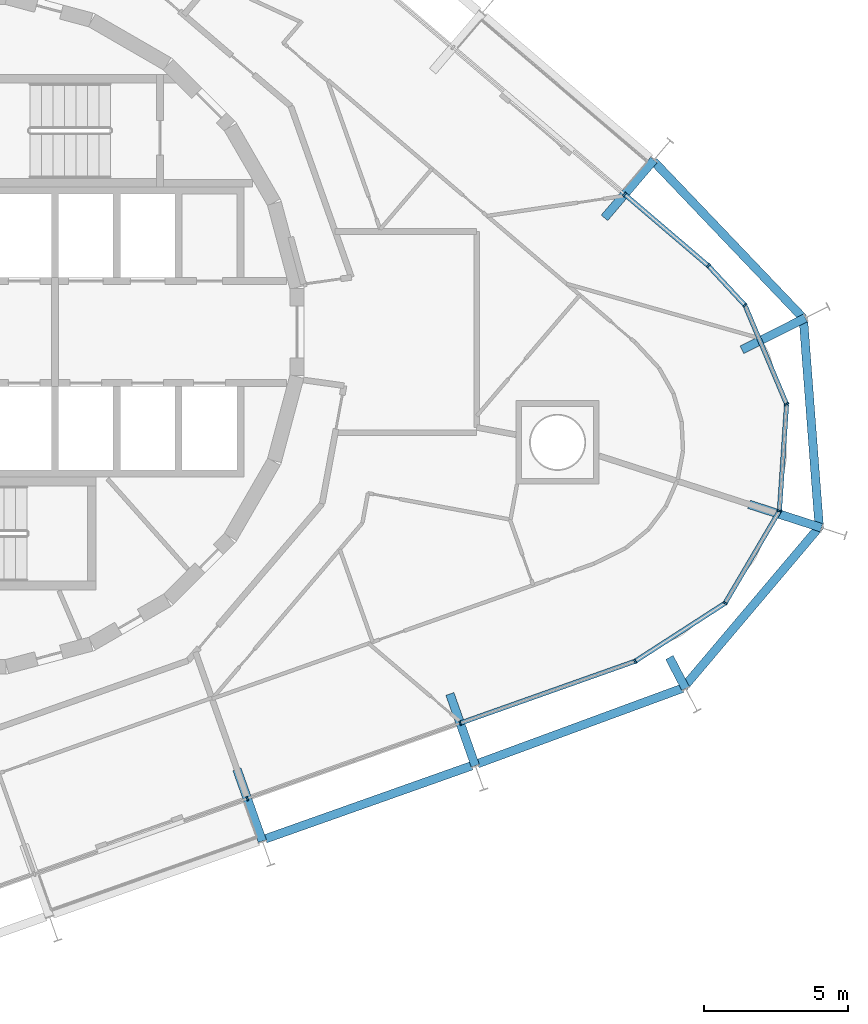
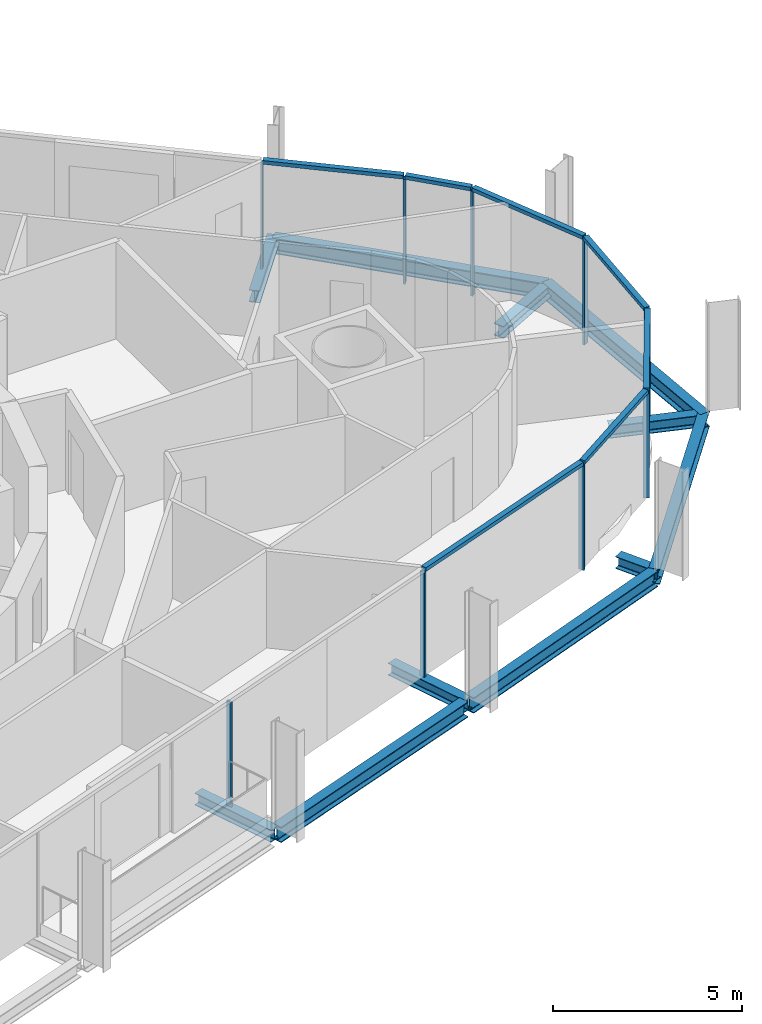
# One storey, part 5 of 17: 16 members, 11 beams, 3 elements without a shape of their own.
"""IFC4 building model written with IfcOpenShell, lengths in metres."""

from ifc_helpers import new_model, si_unit, direction, frame, origin, origin_2d, place, context, subcontext, project, spatial, rectangle, i_section, extrude, material, layer, layer_set, material_profile, profile_set, type_object, element, aggregate, save


model = new_model("IFC4")

# Units and contexts
model_context = context("Model", 3, precision=1e-05, world=origin(), true_north=direction((0.0, 1.0)))
body_context = subcontext(model_context, "Body", "Model", "MODEL_VIEW")
ifc_project = project(units=[si_unit("LENGTHUNIT", "METRE"), si_unit("AREAUNIT", "SQUARE_METRE"), si_unit("VOLUMEUNIT", "CUBIC_METRE"), si_unit("PLANEANGLEUNIT", "RADIAN"), si_unit("MASSUNIT", "GRAM", prefix="KILO")], contexts=[model_context])

# Site, building, storey
site_placement = place(None, origin())
site = spatial("IfcSite", under=ifc_project, at=site_placement, CompositionType="ELEMENT")
building_placement = place(site_placement, origin())
building = spatial("IfcBuilding", under=site, at=building_placement, Name="Spindle Arch Residences", CompositionType="ELEMENT")
storey_placement = place(building_placement, frame((0.0, 0.0, 162.199951171875)))
storey = spatial("IfcBuildingStorey", under=building, at=storey_placement, Name="L40", CompositionType="ELEMENT", Elevation=162.199951171875)

# Curtain wall, members
ifc_material_1 = material(Name="Aluminium bronze unitised frame with tinted glass", Category="aluminium")
ifc_layer_1 = layer(ifc_material_1, 0.159912109375)
ifc_layer_set_1 = layer_set([ifc_layer_1], Name="CW-D corner wall on the fillet arcs")
curtain_wall_type_1 = type_object("IfcCurtainWallType", Name="CW-D corner wall on the fillet arcs", PredefinedType="NOTDEFINED", material=ifc_layer_set_1)
curtain_wall_1_placement = place(storey_placement, origin())
curtain_wall_1 = element("IfcCurtainWall", 1, at=curtain_wall_1_placement, inside=storey, type_object=curtain_wall_type_1, Name="CW-D L40 run 1", PredefinedType="NOTDEFINED")
ifc_material_2 = material(Name="Aluminium bronze anodised mullion", Category="aluminium")
ifc_material_profile_1 = material_profile(ifc_material_2, rectangle(XDim=0.159912109375, YDim=0.06005859375, at=origin_2d()), Name="MU 60x160")
ifc_profile_set_1 = profile_set([ifc_material_profile_1], Name="Aluminium bronze anodised mullion")
member_type_1 = type_object("IfcMemberType", Name="Bronze mullion 60x160", PredefinedType="MULLION", material=ifc_profile_set_1)
member_1_placement = place(storey_placement, frame((17.326904296875, -13.609619140625, -0.3798828125), z_axis=(0.0, 0.0, 1.0), x_axis=(-0.333806859234, 0.942641491092, 0.0)))
member_1 = element("IfcMember", 2, at=member_1_placement, type_object=member_type_1, Name="CW-D mullion 00", PredefinedType="MULLION", context=body_context, shape_type="SweptSolid", body=[
    extrude(rectangle(XDim=0.159912109375, YDim=0.06005859375, at=origin_2d()), origin(), (0.0, 0.0, 1.0), 3.3798828125),
])
member_2_placement = place(storey_placement, frame((23.410400390625, -11.45556640625, -0.3798828125), z_axis=(0.0, 0.0, 1.0), x_axis=(-0.542197137778, 0.840251309898, 0.0)))
member_2 = element("IfcMember", 3, at=member_2_placement, type_object=member_type_1, Name="CW-D mullion 01", PredefinedType="MULLION", context=body_context, shape_type="SweptSolid", body=[
    extrude(rectangle(XDim=0.159912109375, YDim=0.06005859375, at=origin_2d()), origin(), (0.0, 0.0, 1.0), 3.3798828125),
])
member_3_placement = place(storey_placement, frame((26.541748046875, -9.434814453125, -0.3798828125), z_axis=(0.0, 0.0, 1.0), x_axis=(-0.86162915882, 0.507538365713, 0.0)))
member_3 = element("IfcMember", 4, at=member_3_placement, type_object=member_type_1, Name="CW-D mullion 02", PredefinedType="MULLION", context=body_context, shape_type="SweptSolid", body=[
    extrude(rectangle(XDim=0.159912109375, YDim=0.06005859375, at=origin_2d()), origin(), (0.0, 0.0, 1.0), 3.3798828125),
])
member_4_placement = place(storey_placement, frame((28.43310546875, -6.223876953125, -0.3798828125), z_axis=(0.0, 0.0, 1.0), x_axis=(-0.997762742461, 0.066854392204, 0.0)))
member_4 = element("IfcMember", 5, at=member_4_placement, type_object=member_type_1, Name="CW-D mullion 03", PredefinedType="MULLION", context=body_context, shape_type="SweptSolid", body=[
    extrude(rectangle(XDim=0.159912109375, YDim=0.06005859375, at=origin_2d()), origin(), (0.0, 0.0, 1.0), 3.3798828125),
])
member_5_placement = place(storey_placement, frame((28.682373046875, -2.50537109375, -0.3798828125), z_axis=(0.0, 0.0, 1.0), x_axis=(-0.921637549195, -0.388051836633, 0.0)))
member_5 = element("IfcMember", 6, at=member_5_placement, type_object=member_type_1, Name="CW-D mullion 04", PredefinedType="MULLION", context=body_context, shape_type="SweptSolid", body=[
    extrude(rectangle(XDim=0.159912109375, YDim=0.06005859375, at=origin_2d()), origin(), (0.0, 0.0, 1.0), 3.3798828125),
])
member_6_placement = place(storey_placement, frame((27.236083984375, 0.929443359375, -0.3798828125), z_axis=(0.0, 0.0, 1.0), x_axis=(-0.733334455983, -0.679868057543, 0.0)))
member_6 = element("IfcMember", 7, at=member_6_placement, type_object=member_type_1, Name="CW-D mullion 05", PredefinedType="MULLION", context=body_context, shape_type="SweptSolid", body=[
    extrude(rectangle(XDim=0.159912109375, YDim=0.06005859375, at=origin_2d()), origin(), (0.0, 0.0, 1.0), 3.3798828125),
])
member_7_placement = place(storey_placement, frame((25.960693359375, 2.30517578125, -0.3798828125), z_axis=(0.0, 0.0, 1.0), x_axis=(-0.64944804833, -0.7604059656, 0.0)))
member_7 = element("IfcMember", 8, at=member_7_placement, type_object=member_type_1, Name="CW-D mullion 06", PredefinedType="MULLION", context=body_context, shape_type="SweptSolid", body=[
    extrude(rectangle(XDim=0.159912109375, YDim=0.06005859375, at=origin_2d()), origin(), (0.0, 0.0, 1.0), 3.3798828125),
])

# Curtain wall, member
ifc_material_3 = material(Name="Aluminium bronze unitised frame with tinted glass", Category="aluminium")
ifc_layer_2 = layer(ifc_material_3, 0.159912109375)
ifc_layer_set_2 = layer_set([ifc_layer_2], Name="CW-C typical residential unitised wall")
curtain_wall_type_2 = type_object("IfcCurtainWallType", Name="CW-C typical residential unitised wall", PredefinedType="NOTDEFINED", material=ifc_layer_set_2)
curtain_wall_2_placement = place(storey_placement, origin())
curtain_wall_2 = element("IfcCurtainWall", 9, at=curtain_wall_2_placement, inside=storey, type_object=curtain_wall_type_2, Name="CW-C L40 run 2", PredefinedType="NOTDEFINED")
member_8_placement = place(storey_placement, frame((23.045654296875, 4.794677734375, -0.3798828125), z_axis=(0.0, 0.0, 1.0), x_axis=(-0.64944804833, -0.7604059656, 0.0)))
member_8 = element("IfcMember", 10, at=member_8_placement, type_object=member_type_1, Name="CW-C mullion 05", PredefinedType="MULLION", context=body_context, shape_type="SweptSolid", body=[
    extrude(rectangle(XDim=0.159912109375, YDim=0.06005859375, at=origin_2d()), origin(), (0.0, 0.0, 1.0), 3.3798828125),
])
aggregate(curtain_wall_2, [member_8])

curtain_wall_3_placement = place(storey_placement, origin())
curtain_wall_3 = element("IfcCurtainWall", 11, at=curtain_wall_3_placement, inside=storey, type_object=curtain_wall_type_2, Name="CW-C L40 run 6", PredefinedType="NOTDEFINED")
member_9_placement = place(storey_placement, frame((9.917724609375, -16.2333984375, -0.3798828125), z_axis=(0.0, 0.0, 1.0), x_axis=(-0.333806859234, 0.942641491092, 0.0)))
member_9 = element("IfcMember", 12, at=member_9_placement, type_object=member_type_1, Name="CW-C mullion 00", PredefinedType="MULLION", context=body_context, shape_type="SweptSolid", body=[
    extrude(rectangle(XDim=0.159912109375, YDim=0.06005859375, at=origin_2d()), origin(), (0.0, 0.0, 1.0), 3.3798828125),
])
aggregate(curtain_wall_3, [member_9])

# Member
ifc_material_4 = material(Name="Aluminium bronze anodised transom", Category="aluminium")
ifc_material_profile_2 = material_profile(ifc_material_4, rectangle(XDim=0.159912109375, YDim=0.1201171875, at=origin_2d()), Name="TR 120x160")
ifc_profile_set_2 = profile_set([ifc_material_profile_2], Name="Aluminium bronze anodised transom")
member_type_2 = type_object("IfcMemberType", Name="Bronze transom 120x160", PredefinedType="USERDEFINED", material=ifc_profile_set_2)
member_10_placement = place(storey_placement, frame((17.355224609375, -13.599609375, 3.06005859375), z_axis=(0.94265075566, 0.333780695748, 0.0), x_axis=(-0.333780695748, 0.94265075566, 0.0)))
member_10 = element("IfcMember", 13, at=member_10_placement, type_object=member_type_2, Name="CW-D transom 00", ObjectType="TRANSOM", PredefinedType="USERDEFINED", context=body_context, shape_type="SweptSolid", body=[
    extrude(rectangle(XDim=0.159912109375, YDim=0.1201171875, at=origin_2d()), origin(), (0.0, 0.0, 1.0), 6.3935546875),
])

member_11_placement = place(storey_placement, frame((23.435546875, -11.439208984375, 3.06005859375), z_axis=(0.840264358641, 0.542176915405, 0.0), x_axis=(-0.542176915405, 0.840264358641, 0.0)))
member_11 = element("IfcMember", 14, at=member_11_placement, type_object=member_type_2, Name="CW-D transom 01", ObjectType="TRANSOM", PredefinedType="USERDEFINED", context=body_context, shape_type="SweptSolid", body=[
    extrude(rectangle(XDim=0.159912109375, YDim=0.1201171875, at=origin_2d()), origin(), (0.0, 0.0, 1.0), 3.666748046875),
])

member_12_placement = place(storey_placement, frame((26.556884765625, -9.408935546875, 3.06005859375), z_axis=(0.507546689055, 0.861624255943, 0.0), x_axis=(-0.861624255943, 0.507546689055, 0.0)))
member_12 = element("IfcMember", 15, at=member_12_placement, type_object=member_type_2, Name="CW-D transom 02", ObjectType="TRANSOM", PredefinedType="USERDEFINED", context=body_context, shape_type="SweptSolid", body=[
    extrude(rectangle(XDim=0.159912109375, YDim=0.1201171875, at=origin_2d()), origin(), (0.0, 0.0, 1.0), 3.666748046875),
])

member_13_placement = place(storey_placement, frame((28.43505859375, -6.19384765625, 3.06005859375), z_axis=(0.066916740455, 0.997758562903, 0.0), x_axis=(-0.997758562903, 0.066916740455, 0.0)))
member_13 = element("IfcMember", 16, at=member_13_placement, type_object=member_type_2, Name="CW-D transom 03", ObjectType="TRANSOM", PredefinedType="USERDEFINED", context=body_context, shape_type="SweptSolid", body=[
    extrude(rectangle(XDim=0.159912109375, YDim=0.1201171875, at=origin_2d()), origin(), (0.0, 0.0, 1.0), 3.666748046875),
])

member_14_placement = place(storey_placement, frame((28.670654296875, -2.477783203125, 3.06005859375), z_axis=(-0.388045093438, 0.921640388361, 0.0), x_axis=(-0.921640388361, -0.388045093438, 0.0)))
member_14 = element("IfcMember", 17, at=member_14_placement, type_object=member_type_2, Name="CW-D transom 04", ObjectType="TRANSOM", PredefinedType="USERDEFINED", context=body_context, shape_type="SweptSolid", body=[
    extrude(rectangle(XDim=0.159912109375, YDim=0.1201171875, at=origin_2d()), origin(), (0.0, 0.0, 1.0), 3.666748046875),
])

member_15_placement = place(storey_placement, frame((27.2158203125, 0.951416015625, 3.06005859375), z_axis=(-0.679919851258, 0.733286435075, 0.0), x_axis=(-0.733286435075, -0.679919851258, 0.0)))
member_15 = element("IfcMember", 18, at=member_15_placement, type_object=member_type_2, Name="CW-D transom 05", ObjectType="TRANSOM", PredefinedType="USERDEFINED", context=body_context, shape_type="SweptSolid", body=[
    extrude(rectangle(XDim=0.159912109375, YDim=0.1201171875, at=origin_2d()), origin(), (0.0, 0.0, 1.0), 1.816162109375),
])

member_16_placement = place(storey_placement, frame((25.937744140625, 2.32470703125, 3.06005859375), z_axis=(-0.76037900371, 0.64947961532, 0.0), x_axis=(-0.64947961532, -0.76037900371, 0.0)))
member_16 = element("IfcMember", 19, at=member_16_placement, type_object=member_type_2, Name="CW-D transom 06", ObjectType="TRANSOM", PredefinedType="USERDEFINED", context=body_context, shape_type="SweptSolid", body=[
    extrude(rectangle(XDim=0.159912109375, YDim=0.1201171875, at=origin_2d()), origin(), (0.0, 0.0, 1.0), 3.773193359375),
])

aggregate(curtain_wall_1, [member_1, member_10, member_2, member_11, member_3, member_12, member_4, member_13, member_5, member_14, member_6, member_15, member_7, member_16])

# Beams
ifc_material_5 = material(Name="Steel S460ML, intumescent coating R 120", Category="steel")
ifc_material_profile_3 = material_profile(ifc_material_5, i_section(OverallWidth=0.300048828125, OverallDepth=0.5, WebThickness=0.014404296875, FlangeThickness=0.028076171875, FilletRadius=0.027099609375, at=origin_2d()), Name="HEB 500")
ifc_profile_set_3 = profile_set([ifc_material_profile_3], Name="Steel S460ML, intumescent coating R 120")
beam_type_1 = type_object("IfcBeamType", Name="Exoskeleton edge beam HEB 500", PredefinedType="BEAM", material=ifc_profile_set_3)
beam_1_placement = place(storey_placement, frame((10.551025390625, -17.63232421875, -0.6298828125), z_axis=(0.942633964352, 0.33382811333, 0.0), x_axis=(-0.33382811333, 0.942633964352, 0.0)))
element("IfcBeam", 20, at=beam_1_placement, inside=storey, type_object=beam_type_1, Name="Exoskeleton edge beam 1", PredefinedType="BEAM", context=body_context, shape_type="SweptSolid", body=[
    extrude(i_section(OverallWidth=0.300048828125, OverallDepth=0.5, WebThickness=0.014404296875, FlangeThickness=0.028076171875, FilletRadius=0.027099609375, at=origin_2d()), origin(), (0.0, 0.0, 1.0), 7.60009765625),
])
beam_2_placement = place(storey_placement, frame((17.927978515625, -15.01953125, -0.6298828125), z_axis=(0.938417721989, 0.345502791677, 0.0), x_axis=(-0.345502791677, 0.938417721989, 0.0)))
element("IfcBeam", 21, at=beam_2_placement, inside=storey, type_object=beam_type_1, Name="Exoskeleton edge beam 2", PredefinedType="BEAM", context=body_context, shape_type="SweptSolid", body=[
    extrude(i_section(OverallWidth=0.300048828125, OverallDepth=0.5, WebThickness=0.014404296875, FlangeThickness=0.028076171875, FilletRadius=0.027099609375, at=origin_2d()), origin(), (0.0, 0.0, 1.0), 7.59619140625),
])
for number, where, z_axis, x_axis, name in (
    (22, (25.08349609375, -12.3837890625, -0.6298828125), (0.645788487343, 0.763516358446, 0.0), (-0.763516358446, 0.645788487343, 0.0), "Exoskeleton edge beam 3"),
    (23, (29.823974609375, -6.856201171875, -0.6298828125), (-0.076078644635, 0.997101820192, 0.0), (-0.997101820192, -0.076078644635, 0.0), "Exoskeleton edge beam 4"),
):
    element("IfcBeam", number, at=place(storey_placement, frame(where, z_axis=z_axis, x_axis=x_axis)), inside=storey, type_object=beam_type_1, Name=name, PredefinedType="BEAM", context=body_context, shape_type="SweptSolid", body=[
        extrude(i_section(OverallWidth=0.300048828125, OverallDepth=0.5, WebThickness=0.014404296875, FlangeThickness=0.028076171875, FilletRadius=0.027099609375, at=origin_2d()), origin(), (0.0, 0.0, 1.0), 7.4033203125),
    ])
beam_3_placement = place(storey_placement, frame((29.263916015625, 0.484375, -0.6298828125), z_axis=(-0.690454167384, 0.72337614195, 0.0), x_axis=(-0.72337614195, -0.690454167384, 0.0)))
element("IfcBeam", 24, at=beam_3_placement, inside=storey, type_object=beam_type_1, Name="Exoskeleton edge beam 5", PredefinedType="BEAM", context=body_context, shape_type="SweptSolid", body=[
    extrude(i_section(OverallWidth=0.300048828125, OverallDepth=0.5, WebThickness=0.014404296875, FlangeThickness=0.028076171875, FilletRadius=0.027099609375, at=origin_2d()), origin(), (0.0, 0.0, 1.0), 7.534423828125),
])
ifc_material_6 = material(Name="Steel S460ML, intumescent coating R 120", Category="steel")
ifc_material_profile_4 = material_profile(ifc_material_6, i_section(OverallWidth=0.300048828125, OverallDepth=0.389892578125, WebThickness=0.010986328125, FlangeThickness=0.01904296875, FilletRadius=0.027099609375, at=origin_2d()), Name="HEA 400")
ifc_profile_set_4 = profile_set([ifc_material_profile_4], Name="Steel S460ML, intumescent coating R 120")
beam_type_2 = type_object("IfcBeamType", Name="Floor outrigger HEA 400", PredefinedType="BEAM", material=ifc_profile_set_4)
beam_4_placement = place(storey_placement, frame((10.44189453125, -17.71337890625, -0.574951171875), z_axis=(-0.333860785086, 0.942622393211, 0.0), x_axis=(-0.942622393211, -0.333860785086, 0.0)))
element("IfcBeam", 25, at=beam_4_placement, inside=storey, type_object=beam_type_2, Name="Floor outrigger 1", PredefinedType="BEAM", context=body_context, shape_type="SweptSolid", body=[
    extrude(i_section(OverallWidth=0.300048828125, OverallDepth=0.389892578125, WebThickness=0.010986328125, FlangeThickness=0.01904296875, FilletRadius=0.027099609375, at=origin_2d()), origin(), (0.0, 0.0, 1.0), 2.650146484375),
])
beam_5_placement = place(storey_placement, frame((17.85107421875, -15.089599609375, -0.574951171875), z_axis=(-0.333778924893, 0.942651382695, 0.0), x_axis=(-0.942651382695, -0.333778924893, 0.0)))
element("IfcBeam", 26, at=beam_5_placement, inside=storey, type_object=beam_type_2, Name="Floor outrigger 2", PredefinedType="BEAM", context=body_context, shape_type="SweptSolid", body=[
    extrude(i_section(OverallWidth=0.300048828125, OverallDepth=0.389892578125, WebThickness=0.010986328125, FlangeThickness=0.01904296875, FilletRadius=0.027099609375, at=origin_2d()), origin(), (0.0, 0.0, 1.0), 2.64990234375),
])
beam_6_placement = place(storey_placement, frame((25.166015625, -12.400146484375, -0.574951171875), z_axis=(-0.461536115739, 0.887121420026, 0.0), x_axis=(-0.887121420026, -0.461536115739, 0.0)))
element("IfcBeam", 27, at=beam_6_placement, inside=storey, type_object=beam_type_2, Name="Floor outrigger 3", PredefinedType="BEAM", context=body_context, shape_type="SweptSolid", body=[
    extrude(i_section(OverallWidth=0.300048828125, OverallDepth=0.389892578125, WebThickness=0.010986328125, FlangeThickness=0.01904296875, FilletRadius=0.027099609375, at=origin_2d()), origin(), (0.0, 0.0, 1.0), 1.215576171875),
])
beam_7_placement = place(storey_placement, frame((29.894287109375, -6.81005859375, -0.574951171875), z_axis=(-0.951419914018, 0.307896325424, 0.0), x_axis=(-0.307896325424, -0.951419914018, 0.0)))
element("IfcBeam", 28, at=beam_7_placement, inside=storey, type_object=beam_type_2, Name="Floor outrigger 4", PredefinedType="BEAM", context=body_context, shape_type="SweptSolid", body=[
    extrude(i_section(OverallWidth=0.300048828125, OverallDepth=0.389892578125, WebThickness=0.010986328125, FlangeThickness=0.01904296875, FilletRadius=0.027099609375, at=origin_2d()), origin(), (0.0, 0.0, 1.0), 2.64990234375),
])
beam_8_placement = place(storey_placement, frame((29.33740234375, 0.490478515625, -0.574951171875), z_axis=(-0.8937538876, -0.448557675668, 0.0), x_axis=(0.448557675668, -0.8937538876, 0.0)))
element("IfcBeam", 29, at=beam_8_placement, inside=storey, type_object=beam_type_2, Name="Floor outrigger 5", PredefinedType="BEAM", context=body_context, shape_type="SweptSolid", body=[
    extrude(i_section(OverallWidth=0.300048828125, OverallDepth=0.389892578125, WebThickness=0.010986328125, FlangeThickness=0.01904296875, FilletRadius=0.027099609375, at=origin_2d()), origin(), (0.0, 0.0, 1.0), 2.469482421875),
])
beam_9_placement = place(storey_placement, frame((24.065185546875, 5.988525390625, -0.574951171875), z_axis=(-0.64941704551, -0.760432443417, 0.0), x_axis=(0.760432443417, -0.64941704551, 0.0)))
element("IfcBeam", 30, at=beam_9_placement, inside=storey, type_object=beam_type_2, Name="Floor outrigger 6", PredefinedType="BEAM", context=body_context, shape_type="SweptSolid", body=[
    extrude(i_section(OverallWidth=0.300048828125, OverallDepth=0.389892578125, WebThickness=0.010986328125, FlangeThickness=0.01904296875, FilletRadius=0.027099609375, at=origin_2d()), origin(), (0.0, 0.0, 1.0), 2.64990234375),
])

save(model, "model.ifc")
